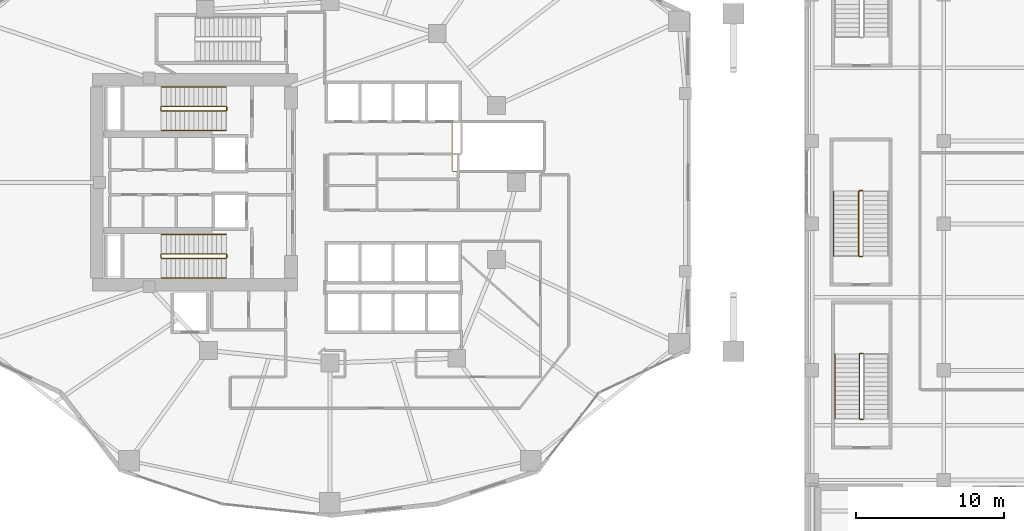
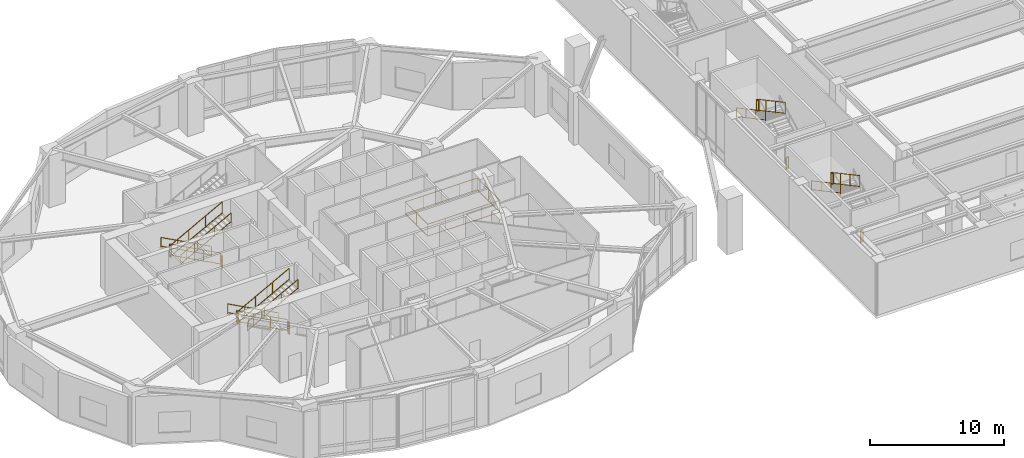
# One storey, part 19 of 21: 21 railings.
"""IFC4 building model written with IfcOpenShell, lengths in metres."""

from ifc_helpers import new_model, si_unit, direction, frame, origin, origin_2d, place, context, subcontext, project, spatial, rectangle, extrude, material, type_object, element, save


model = new_model("IFC4")

# Units and contexts
model_context = context("Model", 3, precision=1e-05, world=origin(), true_north=direction((0.0, 1.0)))
body_context = subcontext(model_context, "Body", "Model", "MODEL_VIEW")
ifc_project = project(units=[si_unit("LENGTHUNIT", "METRE"), si_unit("AREAUNIT", "SQUARE_METRE"), si_unit("VOLUMEUNIT", "CUBIC_METRE"), si_unit("PLANEANGLEUNIT", "RADIAN"), si_unit("MASSUNIT", "GRAM", prefix="KILO")], contexts=[model_context])

# Site, building, storey
site_placement = place(None, origin())
site = spatial("IfcSite", under=ifc_project, at=site_placement, CompositionType="ELEMENT")
building_placement = place(site_placement, origin())
building = spatial("IfcBuilding", under=site, at=building_placement, Name="Kolvaren Gate Tower and Convention Centre", CompositionType="ELEMENT")
storey_placement = place(building_placement, frame((0.0, 0.0, 5.0)))
storey = spatial("IfcBuildingStorey", under=building, at=storey_placement, Name="L01", CompositionType="ELEMENT", Elevation=5.0)

# Railings
ifc_material_1 = material(Name="Laminated Tempered Safety Glass Balustrade 21.5 mm", Category="glass")
railing_type_1 = type_object("IfcRailingType", Name="ARCH-RL-BALUST-1180", PredefinedType="BALUSTRADE", material=ifc_material_1)
railing_1_placement = place(storey_placement, frame((38.39990234375, 27.75, 0.0)))
element("IfcRailing", 1, at=railing_1_placement, inside=storey, type_object=railing_type_1, Name="Tower L01 Atrium Void Safety Balustrade", PredefinedType="BALUSTRADE", context=body_context, shape_type="SweptSolid", body=[
    extrude(rectangle(XDim=0.048095703125, YDim=0.048095703125, at=origin_2d()), frame((0.028076171875, 0.0, 1.15576171875), z_axis=(1.0, 0.0, 0.0), x_axis=(0.0, 1.0, 0.0)), (0.0, 0.0, 1.0), 6.14404296875),
    extrude(rectangle(XDim=0.048095703125, YDim=0.048095703125, at=origin_2d()), frame((0.028076171875, 0.0, 0.083984375), z_axis=(1.0, 0.0, 0.0), x_axis=(0.0, 1.0, 0.0)), (0.0, 0.0, 1.0), 6.14404296875),
    extrude(rectangle(XDim=0.048095703125, YDim=0.048095703125, at=origin_2d()), frame((6.2001953125, 0.028076171875, 1.15576171875), z_axis=(0.0, 1.0, 0.0), x_axis=(-1.0, 0.0, 0.0)), (0.0, 0.0, 1.0), 3.2939453125),
    extrude(rectangle(XDim=0.048095703125, YDim=0.048095703125, at=origin_2d()), frame((6.2001953125, 0.028076171875, 0.083984375), z_axis=(0.0, 1.0, 0.0), x_axis=(-1.0, 0.0, 0.0)), (0.0, 0.0, 1.0), 3.2939453125),
    extrude(rectangle(XDim=0.048095703125, YDim=0.048095703125, at=origin_2d()), frame((6.172119140625, 3.35009765625, 1.15576171875), z_axis=(-1.0, 0.0, 0.0), x_axis=(0.0, -1.0, 0.0)), (0.0, 0.0, 1.0), 6.14404296875),
    extrude(rectangle(XDim=0.048095703125, YDim=0.048095703125, at=origin_2d()), frame((6.172119140625, 3.35009765625, 0.083984375), z_axis=(-1.0, 0.0, 0.0), x_axis=(0.0, -1.0, 0.0)), (0.0, 0.0, 1.0), 6.14404296875),
    extrude(rectangle(XDim=0.048095703125, YDim=0.048095703125, at=origin_2d()), frame((0.0, 3.322021484375, 1.15576171875), z_axis=(0.0, -1.0, 0.0), x_axis=(1.0, 0.0, 0.0)), (0.0, 0.0, 1.0), 3.2939453125),
    extrude(rectangle(XDim=0.048095703125, YDim=0.048095703125, at=origin_2d()), frame((0.0, 3.322021484375, 0.083984375), z_axis=(0.0, -1.0, 0.0), x_axis=(1.0, 0.0, 0.0)), (0.0, 0.0, 1.0), 3.2939453125),
    extrude(rectangle(XDim=0.0419921875, YDim=0.0419921875, at=origin_2d()), origin(), (0.0, 0.0, 1.0), 1.179931640625),
    extrude(rectangle(XDim=0.0419921875, YDim=0.0419921875, at=origin_2d()), frame((6.2001953125, 0.0, 0.0)), (0.0, 0.0, 1.0), 1.179931640625),
    extrude(rectangle(XDim=0.0419921875, YDim=0.0419921875, at=origin_2d()), frame((1.550048828125, 0.0, 0.0)), (0.0, 0.0, 1.0), 1.1298828125),
    extrude(rectangle(XDim=0.0419921875, YDim=0.0419921875, at=origin_2d()), frame((3.10009765625, 0.0, 0.0)), (0.0, 0.0, 1.0), 1.1298828125),
    extrude(rectangle(XDim=0.0419921875, YDim=0.0419921875, at=origin_2d()), frame((4.650146484375, 0.0, 0.0)), (0.0, 0.0, 1.0), 1.1298828125),
    extrude(rectangle(XDim=0.0419921875, YDim=0.0419921875, at=origin_2d()), frame((6.2001953125, 3.35009765625, 0.0)), (0.0, 0.0, 1.0), 1.179931640625),
    extrude(rectangle(XDim=0.0419921875, YDim=0.0419921875, at=origin_2d()), frame((6.2001953125, 1.675048828125, 0.0)), (0.0, 0.0, 1.0), 1.1298828125),
    extrude(rectangle(XDim=0.0419921875, YDim=0.0419921875, at=origin_2d()), frame((0.0, 3.35009765625, 0.0)), (0.0, 0.0, 1.0), 1.179931640625),
    extrude(rectangle(XDim=0.0419921875, YDim=0.0419921875, at=origin_2d()), frame((4.650146484375, 3.35009765625, 0.0)), (0.0, 0.0, 1.0), 1.1298828125),
    extrude(rectangle(XDim=0.0419921875, YDim=0.0419921875, at=origin_2d()), frame((3.10009765625, 3.35009765625, 0.0)), (0.0, 0.0, 1.0), 1.1298828125),
    extrude(rectangle(XDim=0.0419921875, YDim=0.0419921875, at=origin_2d()), frame((1.550048828125, 3.35009765625, 0.0)), (0.0, 0.0, 1.0), 1.1298828125),
    extrude(rectangle(XDim=0.0419921875, YDim=0.0419921875, at=origin_2d()), frame((0.0, 1.675048828125, 0.0)), (0.0, 0.0, 1.0), 1.1298828125),
])
ifc_material_2 = material(Name="Brushed Stainless Steel Grade 316L", Category="steel")
railing_type_2 = type_object("IfcRailingType", Name="ARCH-RL-GUARD-1150", PredefinedType="GUARDRAIL", material=ifc_material_2)
railing_2_placement = place(storey_placement, frame((23.10009765625, 32.1298828125, 0.166748046875)))
element("IfcRailing", 2, at=railing_2_placement, inside=storey, type_object=railing_type_2, Name="L01 ST-T1 stair guard 1", PredefinedType="GUARDRAIL", context=body_context, shape_type="SweptSolid", body=[
    extrude(rectangle(XDim=0.048095703125, YDim=0.048095703125, at=origin_2d()), frame((0.0, 0.0, 1.076171875), z_axis=(-0.880785911426, 0.0, 0.473514707515), x_axis=(0.0, -1.0, 0.0)), (0.0, 0.0, 1.0), 4.927490234375),
    extrude(rectangle(XDim=0.048095703125, YDim=0.048095703125, at=origin_2d()), frame((0.0, 0.0, 0.083984375), z_axis=(-0.880785911426, 0.0, 0.473514707515), x_axis=(0.0, -1.0, 0.0)), (0.0, 0.0, 1.0), 4.927490234375),
    extrude(rectangle(XDim=0.0419921875, YDim=0.0419921875, at=origin_2d()), origin(), (0.0, 0.0, 1.0), 1.050048828125),
    extrude(rectangle(XDim=0.0419921875, YDim=0.0419921875, at=origin_2d()), frame((-4.340087890625, 0.0, 2.333251953125)), (0.0, 0.0, 1.0), 1.050048828125),
    extrude(rectangle(XDim=0.0419921875, YDim=0.0419921875, at=origin_2d()), frame((-1.44677734375, 0.0, 0.77783203125)), (0.0, 0.0, 1.0), 1.050048828125),
    extrude(rectangle(XDim=0.0419921875, YDim=0.0419921875, at=origin_2d()), frame((-2.893310546875, 0.0, 1.555419921875)), (0.0, 0.0, 1.0), 1.050048828125),
])
railing_3_placement = place(storey_placement, frame((18.7099609375, 32.080078125, 2.5)))
element("IfcRailing", 3, at=railing_3_placement, inside=storey, type_object=railing_type_2, Name="L01 ST-T1 stair guard 2", PredefinedType="GUARDRAIL", context=body_context, shape_type="SweptSolid", body=[
    extrude(rectangle(XDim=0.048095703125, YDim=0.048095703125, at=origin_2d()), frame((0.0, 0.0, 1.076171875), z_axis=(0.0, -1.0, 0.0), x_axis=(1.0, 0.0, 0.0)), (0.0, 0.0, 1.0), 0.2001953125),
    extrude(rectangle(XDim=0.048095703125, YDim=0.048095703125, at=origin_2d()), frame((0.0, 0.0, 0.083984375), z_axis=(0.0, -1.0, 0.0), x_axis=(1.0, 0.0, 0.0)), (0.0, 0.0, 1.0), 0.2001953125),
    extrude(rectangle(XDim=0.0419921875, YDim=0.0419921875, at=origin_2d()), origin(), (0.0, 0.0, 1.0), 1.050048828125),
    extrude(rectangle(XDim=0.0419921875, YDim=0.0419921875, at=origin_2d()), frame((0.0, -0.2001953125, 0.0)), (0.0, 0.0, 1.0), 1.050048828125),
])
railing_4_placement = place(storey_placement, frame((18.760009765625, 31.830078125, 2.666748046875)))
element("IfcRailing", 4, at=railing_4_placement, inside=storey, type_object=railing_type_2, Name="L01 ST-T1 stair guard 3", PredefinedType="GUARDRAIL", context=body_context, shape_type="SweptSolid", body=[
    extrude(rectangle(XDim=0.048095703125, YDim=0.048095703125, at=origin_2d()), frame((0.0, 0.0, 1.076171875), z_axis=(0.880785911426, 0.0, 0.473514707515), x_axis=(0.0, 1.0, 0.0)), (0.0, 0.0, 1.0), 4.927490234375),
    extrude(rectangle(XDim=0.048095703125, YDim=0.048095703125, at=origin_2d()), frame((0.0, 0.0, 0.083984375), z_axis=(0.880785911426, 0.0, 0.473514707515), x_axis=(0.0, 1.0, 0.0)), (0.0, 0.0, 1.0), 4.927490234375),
    extrude(rectangle(XDim=0.0419921875, YDim=0.0419921875, at=origin_2d()), origin(), (0.0, 0.0, 1.0), 1.050048828125),
    extrude(rectangle(XDim=0.0419921875, YDim=0.0419921875, at=origin_2d()), frame((4.340087890625, 0.0, 2.333251953125)), (0.0, 0.0, 1.0), 1.050048828125),
    extrude(rectangle(XDim=0.0419921875, YDim=0.0419921875, at=origin_2d()), frame((1.44677734375, 0.0, 0.77783203125)), (0.0, 0.0, 1.0), 1.050048828125),
    extrude(rectangle(XDim=0.0419921875, YDim=0.0419921875, at=origin_2d()), frame((2.893310546875, 0.0, 1.555419921875)), (0.0, 0.0, 1.0), 1.050048828125),
])
railing_5_placement = place(storey_placement, frame((23.14990234375, 32.080078125, 0.0)))
element("IfcRailing", 5, at=railing_5_placement, inside=storey, type_object=railing_type_2, Name="L01 ST-T1 stair guard 4", PredefinedType="GUARDRAIL", context=body_context, shape_type="SweptSolid", body=[
    extrude(rectangle(XDim=0.048095703125, YDim=0.048095703125, at=origin_2d()), frame((0.0, 0.0, 1.076171875), z_axis=(0.0, -1.0, 0.0), x_axis=(1.0, 0.0, 0.0)), (0.0, 0.0, 1.0), 0.2001953125),
    extrude(rectangle(XDim=0.048095703125, YDim=0.048095703125, at=origin_2d()), frame((0.0, 0.0, 0.083984375), z_axis=(0.0, -1.0, 0.0), x_axis=(1.0, 0.0, 0.0)), (0.0, 0.0, 1.0), 0.2001953125),
    extrude(rectangle(XDim=0.0419921875, YDim=0.0419921875, at=origin_2d()), origin(), (0.0, 0.0, 1.0), 1.050048828125),
    extrude(rectangle(XDim=0.0419921875, YDim=0.0419921875, at=origin_2d()), frame((0.0, -0.2001953125, 0.0)), (0.0, 0.0, 1.0), 1.050048828125),
])
railing_6_placement = place(storey_placement, frame((23.10009765625, 22.169921875, 0.166748046875)))
element("IfcRailing", 6, at=railing_6_placement, inside=storey, type_object=railing_type_2, Name="L01 ST-T2 stair guard 1", PredefinedType="GUARDRAIL", context=body_context, shape_type="SweptSolid", body=[
    extrude(rectangle(XDim=0.048095703125, YDim=0.048095703125, at=origin_2d()), frame((0.0, 0.0, 1.076171875), z_axis=(-0.880785911426, 0.0, 0.473514707515), x_axis=(0.0, -1.0, 0.0)), (0.0, 0.0, 1.0), 4.927490234375),
    extrude(rectangle(XDim=0.048095703125, YDim=0.048095703125, at=origin_2d()), frame((0.0, 0.0, 0.083984375), z_axis=(-0.880785911426, 0.0, 0.473514707515), x_axis=(0.0, -1.0, 0.0)), (0.0, 0.0, 1.0), 4.927490234375),
    extrude(rectangle(XDim=0.0419921875, YDim=0.0419921875, at=origin_2d()), origin(), (0.0, 0.0, 1.0), 1.050048828125),
    extrude(rectangle(XDim=0.0419921875, YDim=0.0419921875, at=origin_2d()), frame((-4.340087890625, 0.0, 2.333251953125)), (0.0, 0.0, 1.0), 1.050048828125),
    extrude(rectangle(XDim=0.0419921875, YDim=0.0419921875, at=origin_2d()), frame((-1.44677734375, 0.0, 0.77783203125)), (0.0, 0.0, 1.0), 1.050048828125),
    extrude(rectangle(XDim=0.0419921875, YDim=0.0419921875, at=origin_2d()), frame((-2.893310546875, 0.0, 1.555419921875)), (0.0, 0.0, 1.0), 1.050048828125),
])
railing_7_placement = place(storey_placement, frame((18.7099609375, 22.1201171875, 2.5)))
element("IfcRailing", 7, at=railing_7_placement, inside=storey, type_object=railing_type_2, Name="L01 ST-T2 stair guard 2", PredefinedType="GUARDRAIL", context=body_context, shape_type="SweptSolid", body=[
    extrude(rectangle(XDim=0.048095703125, YDim=0.048095703125, at=origin_2d()), frame((0.0, 0.0, 1.076171875), z_axis=(0.0, -1.0, 0.0), x_axis=(1.0, 0.0, 0.0)), (0.0, 0.0, 1.0), 0.2001953125),
    extrude(rectangle(XDim=0.048095703125, YDim=0.048095703125, at=origin_2d()), frame((0.0, 0.0, 0.083984375), z_axis=(0.0, -1.0, 0.0), x_axis=(1.0, 0.0, 0.0)), (0.0, 0.0, 1.0), 0.2001953125),
    extrude(rectangle(XDim=0.0419921875, YDim=0.0419921875, at=origin_2d()), origin(), (0.0, 0.0, 1.0), 1.050048828125),
    extrude(rectangle(XDim=0.0419921875, YDim=0.0419921875, at=origin_2d()), frame((0.0, -0.2001953125, 0.0)), (0.0, 0.0, 1.0), 1.050048828125),
])
railing_8_placement = place(storey_placement, frame((18.760009765625, 21.8701171875, 2.666748046875)))
element("IfcRailing", 8, at=railing_8_placement, inside=storey, type_object=railing_type_2, Name="L01 ST-T2 stair guard 3", PredefinedType="GUARDRAIL", context=body_context, shape_type="SweptSolid", body=[
    extrude(rectangle(XDim=0.048095703125, YDim=0.048095703125, at=origin_2d()), frame((0.0, 0.0, 1.076171875), z_axis=(0.880785911426, 0.0, 0.473514707515), x_axis=(0.0, 1.0, 0.0)), (0.0, 0.0, 1.0), 4.927490234375),
    extrude(rectangle(XDim=0.048095703125, YDim=0.048095703125, at=origin_2d()), frame((0.0, 0.0, 0.083984375), z_axis=(0.880785911426, 0.0, 0.473514707515), x_axis=(0.0, 1.0, 0.0)), (0.0, 0.0, 1.0), 4.927490234375),
    extrude(rectangle(XDim=0.0419921875, YDim=0.0419921875, at=origin_2d()), origin(), (0.0, 0.0, 1.0), 1.050048828125),
    extrude(rectangle(XDim=0.0419921875, YDim=0.0419921875, at=origin_2d()), frame((4.340087890625, 0.0, 2.333251953125)), (0.0, 0.0, 1.0), 1.050048828125),
    extrude(rectangle(XDim=0.0419921875, YDim=0.0419921875, at=origin_2d()), frame((1.44677734375, 0.0, 0.77783203125)), (0.0, 0.0, 1.0), 1.050048828125),
    extrude(rectangle(XDim=0.0419921875, YDim=0.0419921875, at=origin_2d()), frame((2.893310546875, 0.0, 1.555419921875)), (0.0, 0.0, 1.0), 1.050048828125),
])
railing_9_placement = place(storey_placement, frame((23.14990234375, 22.1201171875, 0.0)))
element("IfcRailing", 9, at=railing_9_placement, inside=storey, type_object=railing_type_2, Name="L01 ST-T2 stair guard 4", PredefinedType="GUARDRAIL", context=body_context, shape_type="SweptSolid", body=[
    extrude(rectangle(XDim=0.048095703125, YDim=0.048095703125, at=origin_2d()), frame((0.0, 0.0, 1.076171875), z_axis=(0.0, -1.0, 0.0), x_axis=(1.0, 0.0, 0.0)), (0.0, 0.0, 1.0), 0.2001953125),
    extrude(rectangle(XDim=0.048095703125, YDim=0.048095703125, at=origin_2d()), frame((0.0, 0.0, 0.083984375), z_axis=(0.0, -1.0, 0.0), x_axis=(1.0, 0.0, 0.0)), (0.0, 0.0, 1.0), 0.2001953125),
    extrude(rectangle(XDim=0.0419921875, YDim=0.0419921875, at=origin_2d()), origin(), (0.0, 0.0, 1.0), 1.050048828125),
    extrude(rectangle(XDim=0.0419921875, YDim=0.0419921875, at=origin_2d()), frame((0.0, -0.2001953125, 0.0)), (0.0, 0.0, 1.0), 1.050048828125),
])
railing_10_placement = place(storey_placement, frame((66.14990234375, 15.43994140625, 2.5)))
element("IfcRailing", 10, at=railing_10_placement, inside=storey, type_object=railing_type_2, Name="L01 ST-C2 stair guard 2", PredefinedType="GUARDRAIL", context=body_context, shape_type="SweptSolid", body=[
    extrude(rectangle(XDim=0.048095703125, YDim=0.048095703125, at=origin_2d()), frame((0.0, 0.0, 1.076171875), z_axis=(-1.0, 0.0, 0.0), x_axis=(0.0, -1.0, 0.0)), (0.0, 0.0, 1.0), 0.199951171875),
    extrude(rectangle(XDim=0.048095703125, YDim=0.048095703125, at=origin_2d()), frame((0.0, 0.0, 0.083984375), z_axis=(-1.0, 0.0, 0.0), x_axis=(0.0, -1.0, 0.0)), (0.0, 0.0, 1.0), 0.199951171875),
    extrude(rectangle(XDim=0.0419921875, YDim=0.0419921875, at=origin_2d()), origin(), (0.0, 0.0, 1.0), 1.050048828125),
    extrude(rectangle(XDim=0.0419921875, YDim=0.0419921875, at=origin_2d()), frame((-0.199951171875, 0.0, 0.0)), (0.0, 0.0, 1.0), 1.050048828125),
])
railing_11_placement = place(storey_placement, frame((65.89990234375, 15.389892578125, 2.666748046875)))
element("IfcRailing", 11, at=railing_11_placement, inside=storey, type_object=railing_type_2, Name="L01 ST-C2 stair guard 3", PredefinedType="GUARDRAIL", context=body_context, shape_type="SweptSolid", body=[
    extrude(rectangle(XDim=0.048095703125, YDim=0.048095703125, at=origin_2d()), frame((0.0, 0.0, 1.076171875), z_axis=(0.0, -0.8807748016, 0.47353537235), x_axis=(1.0, 0.0, 0.0)), (0.0, 0.0, 1.0), 4.92724609375),
    extrude(rectangle(XDim=0.048095703125, YDim=0.048095703125, at=origin_2d()), frame((0.0, 0.0, 0.083984375), z_axis=(0.0, -0.8807748016, 0.47353537235), x_axis=(1.0, 0.0, 0.0)), (0.0, 0.0, 1.0), 4.92724609375),
    extrude(rectangle(XDim=0.0419921875, YDim=0.0419921875, at=origin_2d()), origin(), (0.0, 0.0, 1.0), 1.050048828125),
    extrude(rectangle(XDim=0.0419921875, YDim=0.0419921875, at=origin_2d()), frame((0.0, -4.33984375, 2.333251953125)), (0.0, 0.0, 1.0), 1.050048828125),
    extrude(rectangle(XDim=0.0419921875, YDim=0.0419921875, at=origin_2d()), frame((0.0, -1.446533203125, 0.77783203125)), (0.0, 0.0, 1.0), 1.050048828125),
    extrude(rectangle(XDim=0.0419921875, YDim=0.0419921875, at=origin_2d()), frame((0.0, -2.893310546875, 1.555419921875)), (0.0, 0.0, 1.0), 1.050048828125),
])
railing_12_placement = place(storey_placement, frame((66.14990234375, 11.0, 0.0)))
element("IfcRailing", 12, at=railing_12_placement, inside=storey, type_object=railing_type_2, Name="L01 ST-C2 stair guard 4", PredefinedType="GUARDRAIL", context=body_context, shape_type="SweptSolid", body=[
    extrude(rectangle(XDim=0.048095703125, YDim=0.048095703125, at=origin_2d()), frame((0.0, 0.0, 1.076171875), z_axis=(-1.0, 0.0, 0.0), x_axis=(0.0, -1.0, 0.0)), (0.0, 0.0, 1.0), 0.199951171875),
    extrude(rectangle(XDim=0.048095703125, YDim=0.048095703125, at=origin_2d()), frame((0.0, 0.0, 0.083984375), z_axis=(-1.0, 0.0, 0.0), x_axis=(0.0, -1.0, 0.0)), (0.0, 0.0, 1.0), 0.199951171875),
    extrude(rectangle(XDim=0.0419921875, YDim=0.0419921875, at=origin_2d()), origin(), (0.0, 0.0, 1.0), 1.050048828125),
    extrude(rectangle(XDim=0.0419921875, YDim=0.0419921875, at=origin_2d()), frame((-0.199951171875, 0.0, 0.0)), (0.0, 0.0, 1.0), 1.050048828125),
])
railing_13_placement = place(storey_placement, frame((66.10009765625, 26.43994140625, 2.5)))
element("IfcRailing", 13, at=railing_13_placement, inside=storey, type_object=railing_type_2, Name="L01 ST-C5 stair guard 2", PredefinedType="GUARDRAIL", context=body_context, shape_type="SweptSolid", body=[
    extrude(rectangle(XDim=0.048095703125, YDim=0.048095703125, at=origin_2d()), frame((0.0, 0.0, 1.076171875), z_axis=(-1.0, 0.0, 0.0), x_axis=(0.0, -1.0, 0.0)), (0.0, 0.0, 1.0), 0.2001953125),
    extrude(rectangle(XDim=0.048095703125, YDim=0.048095703125, at=origin_2d()), frame((0.0, 0.0, 0.083984375), z_axis=(-1.0, 0.0, 0.0), x_axis=(0.0, -1.0, 0.0)), (0.0, 0.0, 1.0), 0.2001953125),
    extrude(rectangle(XDim=0.0419921875, YDim=0.0419921875, at=origin_2d()), origin(), (0.0, 0.0, 1.0), 1.050048828125),
    extrude(rectangle(XDim=0.0419921875, YDim=0.0419921875, at=origin_2d()), frame((-0.2001953125, 0.0, 0.0)), (0.0, 0.0, 1.0), 1.050048828125),
])
railing_14_placement = place(storey_placement, frame((65.85009765625, 26.389892578125, 2.666748046875)))
element("IfcRailing", 14, at=railing_14_placement, inside=storey, type_object=railing_type_2, Name="L01 ST-C5 stair guard 3", PredefinedType="GUARDRAIL", context=body_context, shape_type="SweptSolid", body=[
    extrude(rectangle(XDim=0.048095703125, YDim=0.048095703125, at=origin_2d()), frame((0.0, 0.0, 1.076171875), z_axis=(0.0, -0.8807748016, 0.47353537235), x_axis=(1.0, 0.0, 0.0)), (0.0, 0.0, 1.0), 4.92724609375),
    extrude(rectangle(XDim=0.048095703125, YDim=0.048095703125, at=origin_2d()), frame((0.0, 0.0, 0.083984375), z_axis=(0.0, -0.8807748016, 0.47353537235), x_axis=(1.0, 0.0, 0.0)), (0.0, 0.0, 1.0), 4.92724609375),
    extrude(rectangle(XDim=0.0419921875, YDim=0.0419921875, at=origin_2d()), origin(), (0.0, 0.0, 1.0), 1.050048828125),
    extrude(rectangle(XDim=0.0419921875, YDim=0.0419921875, at=origin_2d()), frame((0.0, -4.33984375, 2.333251953125)), (0.0, 0.0, 1.0), 1.050048828125),
    extrude(rectangle(XDim=0.0419921875, YDim=0.0419921875, at=origin_2d()), frame((0.0, -1.446533203125, 0.77783203125)), (0.0, 0.0, 1.0), 1.050048828125),
    extrude(rectangle(XDim=0.0419921875, YDim=0.0419921875, at=origin_2d()), frame((0.0, -2.893310546875, 1.555419921875)), (0.0, 0.0, 1.0), 1.050048828125),
])
railing_15_placement = place(storey_placement, frame((66.10009765625, 22.0, 0.0)))
element("IfcRailing", 15, at=railing_15_placement, inside=storey, type_object=railing_type_2, Name="L01 ST-C5 stair guard 4", PredefinedType="GUARDRAIL", context=body_context, shape_type="SweptSolid", body=[
    extrude(rectangle(XDim=0.048095703125, YDim=0.048095703125, at=origin_2d()), frame((0.0, 0.0, 1.076171875), z_axis=(-1.0, 0.0, 0.0), x_axis=(0.0, -1.0, 0.0)), (0.0, 0.0, 1.0), 0.2001953125),
    extrude(rectangle(XDim=0.048095703125, YDim=0.048095703125, at=origin_2d()), frame((0.0, 0.0, 0.083984375), z_axis=(-1.0, 0.0, 0.0), x_axis=(0.0, -1.0, 0.0)), (0.0, 0.0, 1.0), 0.2001953125),
    extrude(rectangle(XDim=0.0419921875, YDim=0.0419921875, at=origin_2d()), origin(), (0.0, 0.0, 1.0), 1.050048828125),
    extrude(rectangle(XDim=0.0419921875, YDim=0.0419921875, at=origin_2d()), frame((-0.2001953125, 0.0, 0.0)), (0.0, 0.0, 1.0), 1.050048828125),
])
railing_type_3 = type_object("IfcRailingType", Name="ARCH-RL-HANDRAIL-920", PredefinedType="HANDRAIL", material=ifc_material_2)
railing_16_placement = place(storey_placement, frame((23.10009765625, 33.449951171875, 0.166748046875)))
element("IfcRailing", 16, at=railing_16_placement, inside=storey, type_object=railing_type_3, Name="L01 ST-T1 stair handrail 1", PredefinedType="HANDRAIL", context=body_context, shape_type="SweptSolid", body=[
    extrude(rectangle(XDim=0.048095703125, YDim=0.048095703125, at=origin_2d()), frame((0.0, 0.0, 0.8759765625), z_axis=(-0.880785911426, 0.0, 0.473514707515), x_axis=(0.0, -1.0, 0.0)), (0.0, 0.0, 1.0), 4.927490234375),
    extrude(rectangle(XDim=0.048095703125, YDim=0.048095703125, at=origin_2d()), frame((0.0, 0.0, 0.083984375), z_axis=(-0.880785911426, 0.0, 0.473514707515), x_axis=(0.0, -1.0, 0.0)), (0.0, 0.0, 1.0), 4.927490234375),
    extrude(rectangle(XDim=0.0419921875, YDim=0.0419921875, at=origin_2d()), origin(), (0.0, 0.0, 1.0), 0.849853515625),
    extrude(rectangle(XDim=0.0419921875, YDim=0.0419921875, at=origin_2d()), frame((-4.340087890625, 0.0, 2.333251953125)), (0.0, 0.0, 1.0), 0.849853515625),
    extrude(rectangle(XDim=0.0419921875, YDim=0.0419921875, at=origin_2d()), frame((-1.44677734375, 0.0, 0.77783203125)), (0.0, 0.0, 1.0), 0.849853515625),
    extrude(rectangle(XDim=0.0419921875, YDim=0.0419921875, at=origin_2d()), frame((-2.893310546875, 0.0, 1.555419921875)), (0.0, 0.0, 1.0), 0.849853515625),
])
railing_17_placement = place(storey_placement, frame((18.760009765625, 30.510009765625, 2.666748046875)))
element("IfcRailing", 17, at=railing_17_placement, inside=storey, type_object=railing_type_3, Name="L01 ST-T1 stair handrail 2", PredefinedType="HANDRAIL", context=body_context, shape_type="SweptSolid", body=[
    extrude(rectangle(XDim=0.048095703125, YDim=0.048095703125, at=origin_2d()), frame((0.0, 0.0, 0.8759765625), z_axis=(0.880785911426, 0.0, 0.473514707515), x_axis=(0.0, 1.0, 0.0)), (0.0, 0.0, 1.0), 4.927490234375),
    extrude(rectangle(XDim=0.048095703125, YDim=0.048095703125, at=origin_2d()), frame((0.0, 0.0, 0.083984375), z_axis=(0.880785911426, 0.0, 0.473514707515), x_axis=(0.0, 1.0, 0.0)), (0.0, 0.0, 1.0), 4.927490234375),
    extrude(rectangle(XDim=0.0419921875, YDim=0.0419921875, at=origin_2d()), origin(), (0.0, 0.0, 1.0), 0.849853515625),
    extrude(rectangle(XDim=0.0419921875, YDim=0.0419921875, at=origin_2d()), frame((4.340087890625, 0.0, 2.333251953125)), (0.0, 0.0, 1.0), 0.849853515625),
    extrude(rectangle(XDim=0.0419921875, YDim=0.0419921875, at=origin_2d()), frame((1.44677734375, 0.0, 0.77783203125)), (0.0, 0.0, 1.0), 0.849853515625),
    extrude(rectangle(XDim=0.0419921875, YDim=0.0419921875, at=origin_2d()), frame((2.893310546875, 0.0, 1.555419921875)), (0.0, 0.0, 1.0), 0.849853515625),
])
railing_18_placement = place(storey_placement, frame((23.10009765625, 23.489990234375, 0.166748046875)))
element("IfcRailing", 18, at=railing_18_placement, inside=storey, type_object=railing_type_3, Name="L01 ST-T2 stair handrail 1", PredefinedType="HANDRAIL", context=body_context, shape_type="SweptSolid", body=[
    extrude(rectangle(XDim=0.048095703125, YDim=0.048095703125, at=origin_2d()), frame((0.0, 0.0, 0.8759765625), z_axis=(-0.880785911426, 0.0, 0.473514707515), x_axis=(0.0, -1.0, 0.0)), (0.0, 0.0, 1.0), 4.927490234375),
    extrude(rectangle(XDim=0.048095703125, YDim=0.048095703125, at=origin_2d()), frame((0.0, 0.0, 0.083984375), z_axis=(-0.880785911426, 0.0, 0.473514707515), x_axis=(0.0, -1.0, 0.0)), (0.0, 0.0, 1.0), 4.927490234375),
    extrude(rectangle(XDim=0.0419921875, YDim=0.0419921875, at=origin_2d()), origin(), (0.0, 0.0, 1.0), 0.849853515625),
    extrude(rectangle(XDim=0.0419921875, YDim=0.0419921875, at=origin_2d()), frame((-4.340087890625, 0.0, 2.333251953125)), (0.0, 0.0, 1.0), 0.849853515625),
    extrude(rectangle(XDim=0.0419921875, YDim=0.0419921875, at=origin_2d()), frame((-1.44677734375, 0.0, 0.77783203125)), (0.0, 0.0, 1.0), 0.849853515625),
    extrude(rectangle(XDim=0.0419921875, YDim=0.0419921875, at=origin_2d()), frame((-2.893310546875, 0.0, 1.555419921875)), (0.0, 0.0, 1.0), 0.849853515625),
])
railing_19_placement = place(storey_placement, frame((18.760009765625, 20.550048828125, 2.666748046875)))
element("IfcRailing", 19, at=railing_19_placement, inside=storey, type_object=railing_type_3, Name="L01 ST-T2 stair handrail 2", PredefinedType="HANDRAIL", context=body_context, shape_type="SweptSolid", body=[
    extrude(rectangle(XDim=0.048095703125, YDim=0.048095703125, at=origin_2d()), frame((0.0, 0.0, 0.8759765625), z_axis=(0.880785911426, 0.0, 0.473514707515), x_axis=(0.0, 1.0, 0.0)), (0.0, 0.0, 1.0), 4.927490234375),
    extrude(rectangle(XDim=0.048095703125, YDim=0.048095703125, at=origin_2d()), frame((0.0, 0.0, 0.083984375), z_axis=(0.880785911426, 0.0, 0.473514707515), x_axis=(0.0, 1.0, 0.0)), (0.0, 0.0, 1.0), 4.927490234375),
    extrude(rectangle(XDim=0.0419921875, YDim=0.0419921875, at=origin_2d()), origin(), (0.0, 0.0, 1.0), 0.849853515625),
    extrude(rectangle(XDim=0.0419921875, YDim=0.0419921875, at=origin_2d()), frame((4.340087890625, 0.0, 2.333251953125)), (0.0, 0.0, 1.0), 0.849853515625),
    extrude(rectangle(XDim=0.0419921875, YDim=0.0419921875, at=origin_2d()), frame((1.44677734375, 0.0, 0.77783203125)), (0.0, 0.0, 1.0), 0.849853515625),
    extrude(rectangle(XDim=0.0419921875, YDim=0.0419921875, at=origin_2d()), frame((2.893310546875, 0.0, 1.555419921875)), (0.0, 0.0, 1.0), 0.849853515625),
])
for number, where, name in (
    (20, (64.25, 15.389892578125, 2.666748046875), "L01 ST-C2 stair handrail 2"),
    (21, (64.14990234375, 26.389892578125, 2.666748046875), "L01 ST-C5 stair handrail 2"),
):
    element("IfcRailing", number, at=place(storey_placement, frame(where)), inside=storey, type_object=railing_type_3, Name=name, PredefinedType="HANDRAIL", context=body_context, shape_type="SweptSolid", body=[
        extrude(rectangle(XDim=0.048095703125, YDim=0.048095703125, at=origin_2d()), frame((0.0, 0.0, 0.8759765625), z_axis=(0.0, -0.8807748016, 0.47353537235), x_axis=(1.0, 0.0, 0.0)), (0.0, 0.0, 1.0), 4.92724609375),
        extrude(rectangle(XDim=0.048095703125, YDim=0.048095703125, at=origin_2d()), frame((0.0, 0.0, 0.083984375), z_axis=(0.0, -0.8807748016, 0.47353537235), x_axis=(1.0, 0.0, 0.0)), (0.0, 0.0, 1.0), 4.92724609375),
        extrude(rectangle(XDim=0.0419921875, YDim=0.0419921875, at=origin_2d()), origin(), (0.0, 0.0, 1.0), 0.849853515625),
        extrude(rectangle(XDim=0.0419921875, YDim=0.0419921875, at=origin_2d()), frame((0.0, -4.33984375, 2.333251953125)), (0.0, 0.0, 1.0), 0.849853515625),
        extrude(rectangle(XDim=0.0419921875, YDim=0.0419921875, at=origin_2d()), frame((0.0, -1.446533203125, 0.77783203125)), (0.0, 0.0, 1.0), 0.849853515625),
        extrude(rectangle(XDim=0.0419921875, YDim=0.0419921875, at=origin_2d()), frame((0.0, -2.893310546875, 1.555419921875)), (0.0, 0.0, 1.0), 0.849853515625),
    ])

save(model, "model.ifc")
